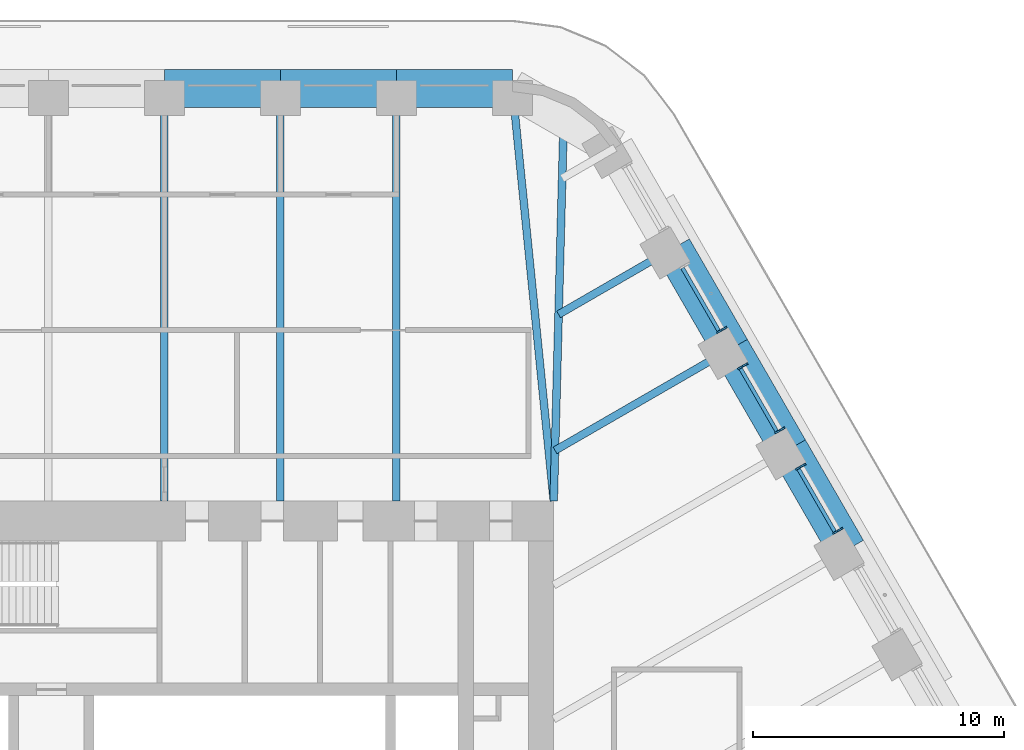
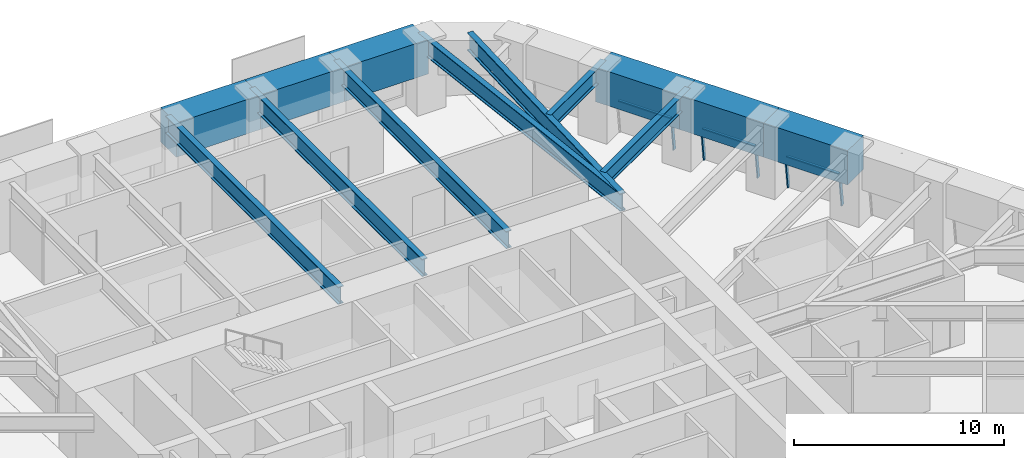
# One storey, part 11 of 20: 13 beams, 8 members, 3 elements without a shape of their own.
"""IFC4 building model written with IfcOpenShell, lengths in metres."""

from ifc_helpers import new_model, si_unit, direction, frame, origin, origin_2d, place, context, subcontext, project, spatial, rectangle, i_section, extrude, material, material_profile, profile_set, type_object, element, aggregate, save


model = new_model("IFC4")

# Units and contexts
model_context = context("Model", 3, precision=1e-05, world=origin(), true_north=direction((0.0, 1.0)))
body_context = subcontext(model_context, "Body", "Model", "MODEL_VIEW")
ifc_project = project(units=[si_unit("LENGTHUNIT", "METRE"), si_unit("AREAUNIT", "SQUARE_METRE"), si_unit("VOLUMEUNIT", "CUBIC_METRE"), si_unit("PLANEANGLEUNIT", "RADIAN"), si_unit("MASSUNIT", "GRAM", prefix="KILO")], contexts=[model_context])

# Site, building, storey
site_placement = place(None, origin())
site = spatial("IfcSite", under=ifc_project, at=site_placement, CompositionType="ELEMENT")
building_placement = place(site_placement, origin())
building = spatial("IfcBuilding", under=site, at=building_placement, Name="Tarfa Lantern Tower", CompositionType="ELEMENT")
storey_placement = place(building_placement, frame((0.0, 0.0, 223.89990234375)))
storey = spatial("IfcBuildingStorey", under=building, at=storey_placement, Name="L50", CompositionType="ELEMENT", Elevation=223.89990234375)

# Curtain wall, members
ifc_material_1 = material(Name="Aluminium framed curtain wall", Category="aluminium")
curtain_wall_type = type_object("IfcCurtainWallType", Name="CW3 CANTED GLAZING HIGH ZONE 2000", PredefinedType="USERDEFINED", material=ifc_material_1)
curtain_wall_1_placement = place(storey_placement, origin())
curtain_wall_1 = element("IfcCurtainWall", 1, at=curtain_wall_1_placement, inside=storey, type_object=curtain_wall_type, Name="CW3 NE L50", ObjectType="CURTAIN WALL", PredefinedType="USERDEFINED")
ifc_material_2 = material(Name="Aluminium mullion", Category="aluminium")
ifc_material_profile_1 = material_profile(ifc_material_2, rectangle(XDim=0.06494140625, YDim=0.199951171875, at=origin_2d()), Name="AL MULLION 65x200")
ifc_profile_set_1 = profile_set([ifc_material_profile_1], Name="Aluminium mullion")
member_type_1 = type_object("IfcMemberType", Name="CWM1 MULLION 65x200", PredefinedType="MULLION", material=ifc_profile_set_1)
member_1_placement = place(storey_placement, frame((26.92138671875, 11.1708984375, 0.0), z_axis=(-0.107439978116, -0.062017213975, 0.992275423596), x_axis=(0.499919672301, -0.866071776036, 0.0)))
member_1 = element("IfcMember", 2, at=member_1_placement, type_object=member_type_1, Name="CW3 mullion 1", PredefinedType="MULLION", context=body_context, shape_type="SweptSolid", body=[
    extrude(rectangle(XDim=0.06494140625, YDim=0.199951171875, at=origin_2d()), origin(), (0.0, 0.0, 1.0), 2.015625),
])
member_2_placement = place(storey_placement, frame((25.4443359375, 13.72900390625, 0.0), z_axis=(-0.107439978116, -0.062017213975, 0.992275423596), x_axis=(0.499919672301, -0.866071776036, 0.0)))
member_2 = element("IfcMember", 3, at=member_2_placement, type_object=member_type_1, Name="CW3 mullion 2", PredefinedType="MULLION", context=body_context, shape_type="SweptSolid", body=[
    extrude(rectangle(XDim=0.06494140625, YDim=0.199951171875, at=origin_2d()), origin(), (0.0, 0.0, 1.0), 2.015625),
])

curtain_wall_2_placement = place(storey_placement, origin())
curtain_wall_2 = element("IfcCurtainWall", 4, at=curtain_wall_2_placement, inside=storey, type_object=curtain_wall_type, Name="CW3 NE L50", ObjectType="CURTAIN WALL", PredefinedType="USERDEFINED")
member_3_placement = place(storey_placement, frame((24.61181640625, 15.1708984375, 0.0), z_axis=(-0.107439978116, -0.062017213975, 0.992275423596), x_axis=(0.499919672301, -0.866071776036, 0.0)))
member_3 = element("IfcMember", 5, at=member_3_placement, type_object=member_type_1, Name="CW3 mullion 1", PredefinedType="MULLION", context=body_context, shape_type="SweptSolid", body=[
    extrude(rectangle(XDim=0.06494140625, YDim=0.199951171875, at=origin_2d()), origin(), (0.0, 0.0, 1.0), 2.015625),
])
member_4_placement = place(storey_placement, frame((23.135009765625, 17.72900390625, 0.0), z_axis=(-0.107439978116, -0.062017213975, 0.992275423596), x_axis=(0.499919672301, -0.866071776036, 0.0)))
member_4 = element("IfcMember", 6, at=member_4_placement, type_object=member_type_1, Name="CW3 mullion 2", PredefinedType="MULLION", context=body_context, shape_type="SweptSolid", body=[
    extrude(rectangle(XDim=0.06494140625, YDim=0.199951171875, at=origin_2d()), origin(), (0.0, 0.0, 1.0), 2.015625),
])

# Curtain wall, member
curtain_wall_3_placement = place(storey_placement, origin())
curtain_wall_3 = element("IfcCurtainWall", 7, at=curtain_wall_3_placement, inside=storey, type_object=curtain_wall_type, Name="CW3 NE L50", ObjectType="CURTAIN WALL", PredefinedType="USERDEFINED")
member_5_placement = place(storey_placement, frame((22.302490234375, 19.1708984375, 0.0), z_axis=(-0.107439978116, -0.062017213975, 0.992275423596), x_axis=(0.499919672301, -0.866071776036, 0.0)))
member_5 = element("IfcMember", 8, at=member_5_placement, type_object=member_type_1, Name="CW3 mullion 1", PredefinedType="MULLION", context=body_context, shape_type="SweptSolid", body=[
    extrude(rectangle(XDim=0.06494140625, YDim=0.199951171875, at=origin_2d()), origin(), (0.0, 0.0, 1.0), 2.015625),
])

# Member
ifc_material_3 = material(Name="Aluminium transom", Category="aluminium")
ifc_material_profile_2 = material_profile(ifc_material_3, rectangle(XDim=0.14990234375, YDim=0.06494140625, at=origin_2d()), Name="AL TRANSOM 150x65")
ifc_profile_set_2 = profile_set([ifc_material_profile_2], Name="Aluminium transom")
member_type_2 = type_object("IfcMemberType", Name="CWT1 TRANSOM 150x65", PredefinedType="USERDEFINED", material=ifc_profile_set_2)
member_6_placement = place(storey_placement, frame((26.692138671875, 11.076171875, 1.967529296875), z_axis=(-0.500056524144, 0.865992767095, 0.0), x_axis=(-0.865992767095, -0.500056524144, 0.0)))
member_6 = element("IfcMember", 9, at=member_6_placement, type_object=member_type_2, Name="CW3 transom 1.2", ObjectType="TRANSOM", PredefinedType="USERDEFINED", context=body_context, shape_type="SweptSolid", body=[
    extrude(rectangle(XDim=0.14990234375, YDim=0.06494140625, at=origin_2d()), origin(), (0.0, 0.0, 1.0), 2.888916015625),
])

aggregate(curtain_wall_1, [member_1, member_2, member_6])

member_7_placement = place(storey_placement, frame((24.382568359375, 15.076171875, 1.967529296875), z_axis=(-0.499993141028, 0.866029363778, 0.0), x_axis=(-0.866029363778, -0.499993141028, 0.0)))
member_7 = element("IfcMember", 10, at=member_7_placement, type_object=member_type_2, Name="CW3 transom 1.2", ObjectType="TRANSOM", PredefinedType="USERDEFINED", context=body_context, shape_type="SweptSolid", body=[
    extrude(rectangle(XDim=0.14990234375, YDim=0.06494140625, at=origin_2d()), origin(), (0.0, 0.0, 1.0), 2.888671875),
])

aggregate(curtain_wall_2, [member_3, member_4, member_7])

member_8_placement = place(storey_placement, frame((22.0732421875, 19.076171875, 1.967529296875), z_axis=(-0.499993141028, 0.866029363778, 0.0), x_axis=(-0.866029363778, -0.499993141028, 0.0)))
member_8 = element("IfcMember", 11, at=member_8_placement, type_object=member_type_2, Name="CW3 transom 1.2", ObjectType="TRANSOM", PredefinedType="USERDEFINED", context=body_context, shape_type="SweptSolid", body=[
    extrude(rectangle(XDim=0.14990234375, YDim=0.06494140625, at=origin_2d()), origin(), (0.0, 0.0, 1.0), 2.888671875),
])

aggregate(curtain_wall_3, [member_5, member_8])

# Beams
ifc_material_4 = material(Name="Concrete C80/95", Category="concrete")
ifc_material_profile_3 = material_profile(ifc_material_4, rectangle(XDim=1.5, YDim=2.0, at=origin_2d()), Name="RC 1500x2000")
ifc_profile_set_3 = profile_set([ifc_material_profile_3], Name="Concrete C80/95")
beam_type_1 = type_object("IfcBeamType", Name="RB3 RC 1500x2000", PredefinedType="BEAM", material=ifc_profile_set_3)
beam_1_placement = place(storey_placement, frame((27.181640625, 10.360107421875, 3.0), z_axis=(-0.499987836815, 0.866032426089, 0.0), x_axis=(-0.866032426089, -0.499987836815, 0.0)))
element("IfcBeam", 12, at=beam_1_placement, inside=storey, type_object=beam_type_1, Name="Edge beam NE2", PredefinedType="BEAM", context=body_context, shape_type="SweptSolid", body=[
    extrude(rectangle(XDim=1.5, YDim=2.0, at=origin_2d()), origin(), (0.0, 0.0, 1.0), 4.61865234375),
])
beam_2_placement = place(storey_placement, frame((24.872314453125, 14.360107421875, 3.0), z_axis=(-0.500027479704, 0.866009537788, 0.0), x_axis=(-0.866009537788, -0.500027479704, 0.0)))
element("IfcBeam", 13, at=beam_2_placement, inside=storey, type_object=beam_type_1, Name="Edge beam NE3", PredefinedType="BEAM", context=body_context, shape_type="SweptSolid", body=[
    extrude(rectangle(XDim=1.5, YDim=2.0, at=origin_2d()), origin(), (0.0, 0.0, 1.0), 4.618896484375),
])
beam_3_placement = place(storey_placement, frame((22.562744140625, 18.360107421875, 3.0), z_axis=(-0.499987836815, 0.866032426089, 0.0), x_axis=(-0.866032426089, -0.499987836815, 0.0)))
element("IfcBeam", 14, at=beam_3_placement, inside=storey, type_object=beam_type_1, Name="Edge beam NE4", PredefinedType="BEAM", context=body_context, shape_type="SweptSolid", body=[
    extrude(rectangle(XDim=1.5, YDim=2.0, at=origin_2d()), origin(), (0.0, 0.0, 1.0), 4.61865234375),
])
beam_4_placement = place(storey_placement, frame((13.8564453125, 28.719970703125, 3.0), z_axis=(-1.0, 0.0, 0.0), x_axis=(0.0, -1.0, 0.0)))
element("IfcBeam", 15, at=beam_4_placement, inside=storey, type_object=beam_type_1, Name="Edge beam N0", PredefinedType="BEAM", context=body_context, shape_type="SweptSolid", body=[
    extrude(rectangle(XDim=1.5, YDim=2.0, at=origin_2d()), origin(), (0.0, 0.0, 1.0), 4.618896484375),
])
beam_5_placement = place(storey_placement, frame((9.237548828125, 28.719970703125, 3.0), z_axis=(-1.0, 0.0, 0.0), x_axis=(0.0, -1.0, 0.0)))
element("IfcBeam", 16, at=beam_5_placement, inside=storey, type_object=beam_type_1, Name="Edge beam N1", PredefinedType="BEAM", context=body_context, shape_type="SweptSolid", body=[
    extrude(rectangle(XDim=1.5, YDim=2.0, at=origin_2d()), origin(), (0.0, 0.0, 1.0), 4.61865234375),
])
beam_6_placement = place(storey_placement, frame((4.618896484375, 28.719970703125, 3.0), z_axis=(-1.0, 0.0, 0.0), x_axis=(0.0, -1.0, 0.0)))
element("IfcBeam", 17, at=beam_6_placement, inside=storey, type_object=beam_type_1, Name="Edge beam N2", PredefinedType="BEAM", context=body_context, shape_type="SweptSolid", body=[
    extrude(rectangle(XDim=1.5, YDim=2.0, at=origin_2d()), origin(), (0.0, 0.0, 1.0), 4.618896484375),
])
ifc_material_5 = material(Name="Steel S460M", Category="steel")
ifc_material_profile_4 = material_profile(ifc_material_5, i_section(OverallWidth=0.302001953125, OverallDepth=1.008056640625, WebThickness=0.02099609375, FlangeThickness=0.0400390625, FilletRadius=0.030029296875, at=origin_2d()), Name="UB1016x305x349")
ifc_profile_set_4 = profile_set([ifc_material_profile_4], Name="Steel S460M")
beam_type_2 = type_object("IfcBeamType", Name="UB1016x305x349", PredefinedType="BEAM", material=ifc_profile_set_4)
beam_7_placement = place(storey_placement, frame((13.8564453125, 28.719970703125, 3.49609375), z_axis=(0.099597466746, -0.995027810977, 0.0), x_axis=(0.995027810977, 0.099597466746, 0.0)))
element("IfcBeam", 18, at=beam_7_placement, inside=storey, type_object=beam_type_2, Name="Floor beam N0", PredefinedType="BEAM", context=body_context, shape_type="SweptSolid", body=[
    extrude(i_section(OverallWidth=0.302001953125, OverallDepth=1.008056640625, WebThickness=0.02099609375, FlangeThickness=0.0400390625, FilletRadius=0.030029296875, at=origin_2d()), origin(), (0.0, 0.0, 1.0), 16.501953125),
])
for number, where, z_axis, x_axis, name in (
    (19, (9.237548828125, 28.719970703125, 3.49609375), (0.0, -1.0, 0.0), (1.0, 0.0, 0.0), "Floor beam N1"),
    (20, (4.618896484375, 28.719970703125, 3.49609375), (0.0, -1.0, 0.0), (1.0, 0.0, 0.0), "Floor beam N2"),
    (21, (0.0, 28.719970703125, 3.49609375), (0.0, -1.0, 0.0), (1.0, 0.0, 0.0), "Floor beam N3"),
):
    element("IfcBeam", number, at=place(storey_placement, frame(where, z_axis=z_axis, x_axis=x_axis)), inside=storey, type_object=beam_type_2, Name=name, PredefinedType="BEAM", context=body_context, shape_type="SweptSolid", body=[
        extrude(i_section(OverallWidth=0.302001953125, OverallDepth=1.008056640625, WebThickness=0.02099609375, FlangeThickness=0.0400390625, FilletRadius=0.030029296875, at=origin_2d()), origin(), (0.0, 0.0, 1.0), 16.419921875),
    ])
ifc_material_profile_5 = material_profile(ifc_material_5, i_section(OverallWidth=0.30859375, OverallDepth=1.036376953125, WebThickness=0.030029296875, FlangeThickness=0.05419921875, FilletRadius=0.030029296875, at=origin_2d()), Name="UB1016x305x487")
ifc_profile_set_5 = profile_set([ifc_material_profile_5], Name="Steel S460M")
beam_type_3 = type_object("IfcBeamType", Name="UB1016x305x487", PredefinedType="BEAM", material=ifc_profile_set_5)
beam_8_placement = place(storey_placement, frame((15.5, 12.300048828125, 3.48193359375), z_axis=(0.026247301989, 0.999655480222, 0.0), x_axis=(-0.999655480222, 0.026247301989, 0.0)))
element("IfcBeam", 22, at=beam_8_placement, inside=storey, type_object=beam_type_3, Name="Hip girder NE", PredefinedType="BEAM", context=body_context, shape_type="SweptSolid", body=[
    extrude(i_section(OverallWidth=0.30859375, OverallDepth=1.036376953125, WebThickness=0.030029296875, FlangeThickness=0.05419921875, FilletRadius=0.030029296875, at=origin_2d()), origin(), (0.0, 0.0, 1.0), 15.245361328125),
])
ifc_material_profile_6 = material_profile(ifc_material_5, i_section(OverallWidth=0.305419921875, OverallDepth=0.91845703125, WebThickness=0.017333984375, FlangeThickness=0.02783203125, FilletRadius=0.01904296875, at=origin_2d()), Name="UB914x305x253")
ifc_profile_set_6 = profile_set([ifc_material_profile_6], Name="Steel S460M")
beam_type_4 = type_object("IfcBeamType", Name="UB914x305x253", PredefinedType="BEAM", material=ifc_profile_set_6)
beam_9_placement = place(storey_placement, frame((22.562744140625, 18.360107421875, 3.541015625), z_axis=(-0.866010787764, -0.500025314835, 0.0), x_axis=(0.500025314835, -0.866010787764, 0.0)))
element("IfcBeam", 23, at=beam_9_placement, inside=storey, type_object=beam_type_4, Name="Floor beam NE4", PredefinedType="BEAM", context=body_context, shape_type="SweptSolid", body=[
    extrude(i_section(OverallWidth=0.305419921875, OverallDepth=0.91845703125, WebThickness=0.017333984375, FlangeThickness=0.02783203125, FilletRadius=0.01904296875, at=origin_2d()), origin(), (0.0, 0.0, 1.0), 8.09423828125),
])
beam_10_placement = place(storey_placement, frame((20.25341796875, 22.360107421875, 3.541015625), z_axis=(-0.86601951648, -0.500010196972, 0.0), x_axis=(0.500010196972, -0.86601951648, 0.0)))
element("IfcBeam", 24, at=beam_10_placement, inside=storey, type_object=beam_type_4, Name="Floor beam NE5", PredefinedType="BEAM", context=body_context, shape_type="SweptSolid", body=[
    extrude(i_section(OverallWidth=0.305419921875, OverallDepth=0.91845703125, WebThickness=0.017333984375, FlangeThickness=0.02783203125, FilletRadius=0.01904296875, at=origin_2d()), origin(), (0.0, 0.0, 1.0), 5.263671875),
])

save(model, "model.ifc")
